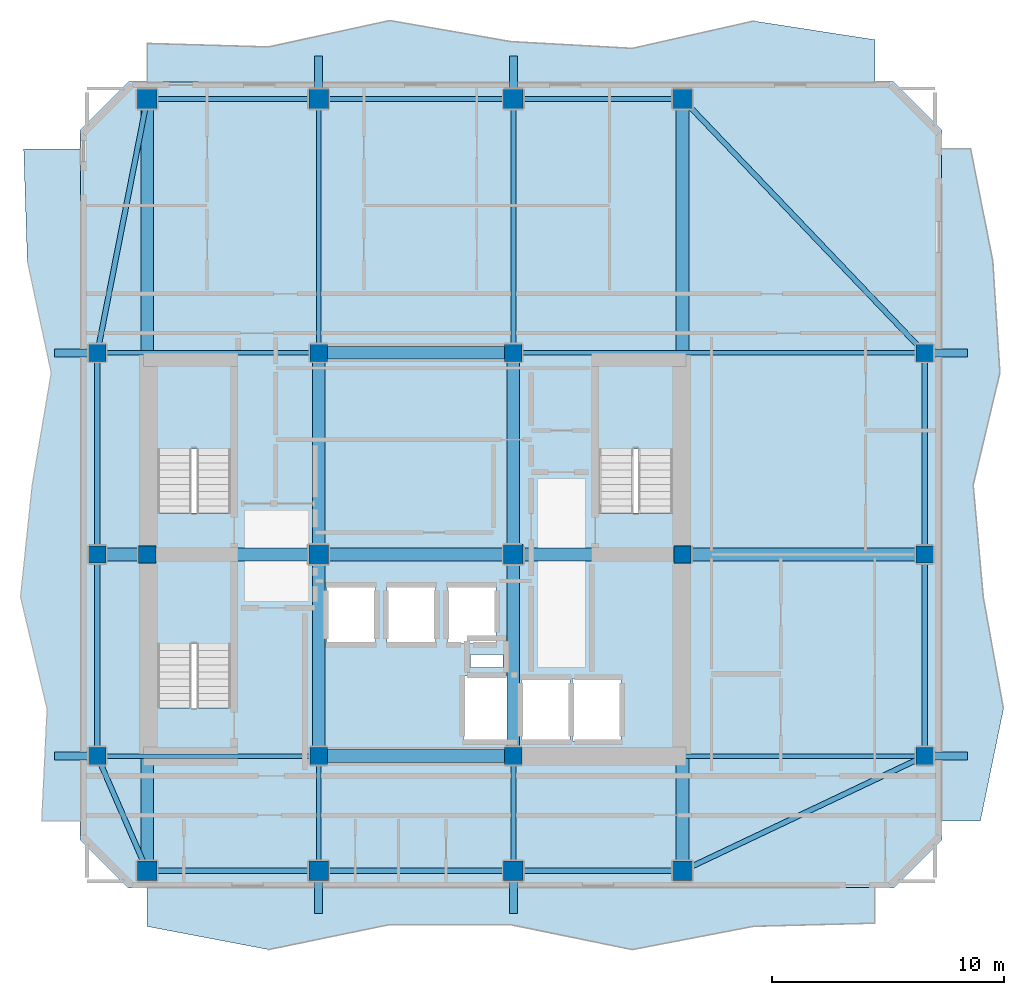
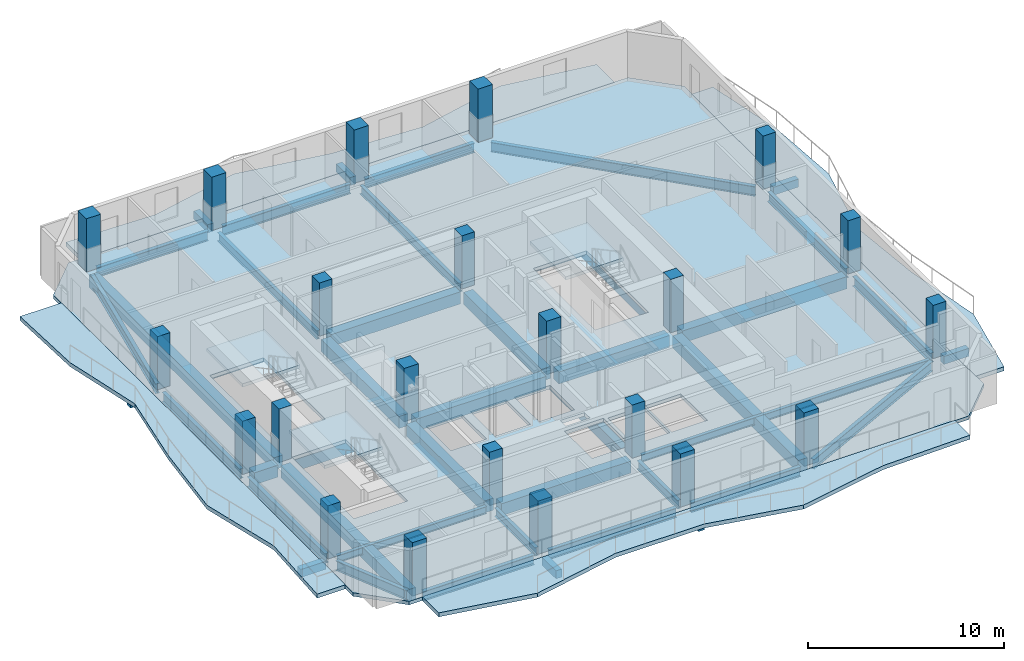
# One storey, part 1 of 9: 45 beams, 22 columns, 8 slabs, 3 elements without a shape of their own.
"""IFC4 building model written with IfcOpenShell, lengths in metres."""

from ifc_helpers import new_model, si_unit, direction, frame, origin, origin_2d, place, context, subcontext, project, spatial, polyline, rectangle, i_section, outline, extrude, material, layer, layer_set, material_profile, profile_set, type_object, element, aggregate, save


model = new_model("IFC4")

# Units and contexts
model_context = context("Model", 3, precision=1e-05, world=origin(), true_north=direction((0.0, 1.0)))
body_context = subcontext(model_context, "Body", "Model", "MODEL_VIEW")
ifc_project = project(units=[si_unit("LENGTHUNIT", "METRE"), si_unit("AREAUNIT", "SQUARE_METRE"), si_unit("VOLUMEUNIT", "CUBIC_METRE"), si_unit("PLANEANGLEUNIT", "RADIAN"), si_unit("MASSUNIT", "GRAM", prefix="KILO")], contexts=[model_context])

# Site, building, storey
site_placement = place(None, origin())
site = spatial("IfcSite", under=ifc_project, at=site_placement, CompositionType="ELEMENT")
building_placement = place(site_placement, origin())
building = spatial("IfcBuilding", under=site, at=building_placement, Name="Solanera Arch Residences", CompositionType="ELEMENT")
storey_placement = place(building_placement, frame((0.0, 0.0, 234.60009765625)))
storey = spatial("IfcBuildingStorey", under=building, at=storey_placement, Name="L68", CompositionType="ELEMENT", Elevation=234.60009765625)

# Columns
ifc_material_1 = material(Name="Concrete C40/50 (f'c = 45 MPa)", Category="concrete")
ifc_material_profile_1 = material_profile(ifc_material_1, rectangle(XDim=0.75, YDim=0.75, at=origin_2d()))
ifc_profile_set_1 = profile_set([ifc_material_profile_1], Name="Concrete C40/50 (f'c = 45 MPa)")
column_type_1 = type_object("IfcColumnType", Name="Structural Column RC-COL-750X750", PredefinedType="COLUMN", material=ifc_profile_set_1)
for number, where, z_axis, x_axis, name in (
    (1, (20.800048828125, 22.0, 0.0), (0.0, 0.0, 1.0), (1.0, 0.0, 0.0), "COL-L68-CB-SW"),
    (2, (29.199951171875, 22.0, 0.0), (0.0, 0.0, 1.0), (1.0, 0.0, 0.0), "COL-L68-CB-SE"),
    (3, (20.800048828125, 39.39990234375, 0.0), (0.0, 0.0, 1.0), (1.0, 0.0, 0.0), "COL-L68-CB-NW"),
    (4, (29.199951171875, 39.39990234375, 0.0), (0.0, 0.0, 1.0), (1.0, 0.0, 0.0), "COL-L68-CB-NE"),
    (5, (13.39990234375, 30.699951171875, 0.0), (0.0, 0.0, 1.0), (1.0, 0.0, 0.0), "COL-L68-CB-WW"),
    (6, (36.5, 30.699951171875, 0.0), (0.0, 0.0, 1.0), (1.0, 0.0, 0.0), "COL-L68-CB-EE"),
    (7, (11.25, 22.0, 0.0), (0.0, 0.0, 1.0), (1.0, 0.0, 0.0), "COL-L68-TWR-09"),
    (8, (46.949951171875, 22.0, 0.0), (0.0, 0.0, 1.0), (1.0, 0.0, 0.0), "COL-L68-TWR-10"),
    (9, (11.25, 30.699951171875, 0.0), (0.0, 0.0, 1.0), (1.0, 0.0, 0.0), "COL-L68-TWR-11"),
    (10, (46.949951171875, 30.699951171875, 0.0), (0.0, 0.0, 1.0), (1.0, 0.0, 0.0), "COL-L68-TWR-12"),
    (11, (11.25, 39.39990234375, 0.0), (0.0, 0.0, 1.0), (1.0, 0.0, 0.0), "COL-L68-TWR-13"),
    (12, (46.949951171875, 39.39990234375, 0.0), (0.0, 0.0, 1.0), (1.0, 0.0, 0.0), "COL-L68-TWR-14"),
):
    element("IfcColumn", number, at=place(storey_placement, frame(where, z_axis=z_axis, x_axis=x_axis)), inside=storey, type_object=column_type_1, Name=name, PredefinedType="COLUMN", context=body_context, shape_type="SweptSolid", body=[
        extrude(rectangle(XDim=0.75, YDim=0.75, at=origin_2d()), origin(), (0.0, 0.0, 1.0), 3.31982421875),
    ])
ifc_material_2 = material(Name="Concrete C40/50 (f'c = 45 MPa)", Category="concrete")
ifc_material_profile_2 = material_profile(ifc_material_2, rectangle(XDim=0.85009765625, YDim=0.85009765625, at=origin_2d()))
ifc_profile_set_2 = profile_set([ifc_material_profile_2], Name="Concrete C40/50 (f'c = 45 MPa)")
column_type_2 = type_object("IfcColumnType", Name="Structural Column RC-COL-850X850", PredefinedType="COLUMN", material=ifc_profile_set_2)
for number, where, z_axis, x_axis, name in (
    (13, (20.800048828125, 30.699951171875, 0.0), (0.0, 0.0, 1.0), (1.0, 0.0, 0.0), "COL-L68-CORE-W"),
    (14, (29.199951171875, 30.699951171875, 0.0), (0.0, 0.0, 1.0), (1.0, 0.0, 0.0), "COL-L68-CORE-E"),
    (15, (13.39990234375, 17.050048828125, 0.0), (0.0, 0.0, 1.0), (1.0, 0.0, 0.0), "COL-L68-TWR-01"),
    (16, (13.39990234375, 50.35009765625, 0.0), (0.0, 0.0, 1.0), (1.0, 0.0, 0.0), "COL-L68-TWR-02"),
    (17, (20.800048828125, 17.050048828125, 0.0), (0.0, 0.0, 1.0), (1.0, 0.0, 0.0), "COL-L68-TWR-03"),
    (18, (20.800048828125, 50.35009765625, 0.0), (0.0, 0.0, 1.0), (1.0, 0.0, 0.0), "COL-L68-TWR-04"),
    (19, (29.199951171875, 17.050048828125, 0.0), (0.0, 0.0, 1.0), (1.0, 0.0, 0.0), "COL-L68-TWR-05"),
    (20, (29.199951171875, 50.35009765625, 0.0), (0.0, 0.0, 1.0), (1.0, 0.0, 0.0), "COL-L68-TWR-06"),
    (21, (36.5, 17.050048828125, 0.0), (0.0, 0.0, 1.0), (1.0, 0.0, 0.0), "COL-L68-TWR-07"),
    (22, (36.5, 50.35009765625, 0.0), (0.0, 0.0, 1.0), (1.0, 0.0, 0.0), "COL-L68-TWR-08"),
):
    element("IfcColumn", number, at=place(storey_placement, frame(where, z_axis=z_axis, x_axis=x_axis)), inside=storey, type_object=column_type_2, Name=name, PredefinedType="COLUMN", context=body_context, shape_type="SweptSolid", body=[
        extrude(rectangle(XDim=0.85009765625, YDim=0.85009765625, at=origin_2d()), origin(), (0.0, 0.0, 1.0), 3.31982421875),
    ])

# Beams
ifc_material_3 = material(Name="Concrete C40/50 (f'c = 45 MPa)", Category="concrete")
ifc_material_profile_3 = material_profile(ifc_material_3, rectangle(XDim=0.35009765625, YDim=0.5, at=origin_2d()))
ifc_profile_set_3 = profile_set([ifc_material_profile_3], Name="Concrete C40/50 (f'c = 45 MPa)")
beam_type_1 = type_object("IfcBeamType", Name="BM-BALC-RIB", PredefinedType="BEAM", material=ifc_profile_set_3)
for number, where, z_axis, x_axis, name in (
    (23, (20.800048828125, 15.199951171875, -0.5), (0.0, 1.0, 0.0), (-1.0, 0.0, 0.0), "BM-L68-BRIB-S1"),
    (24, (29.199951171875, 15.199951171875, -0.5), (0.0, 1.0, 0.0), (-1.0, 0.0, 0.0), "BM-L68-BRIB-S2"),
    (25, (20.800048828125, 50.77490234375, -0.5), (0.0, 1.0, 0.0), (-1.0, 0.0, 0.0), "BM-L68-BRIB-N1"),
    (26, (29.199951171875, 50.77490234375, -0.5), (0.0, 1.0, 0.0), (-1.0, 0.0, 0.0), "BM-L68-BRIB-N2"),
):
    element("IfcBeam", number, at=place(storey_placement, frame(where, z_axis=z_axis, x_axis=x_axis)), inside=storey, type_object=beam_type_1, Name=name, PredefinedType="BEAM", context=body_context, shape_type="SweptSolid", body=[
        extrude(rectangle(XDim=0.35009765625, YDim=0.5, at=origin_2d()), origin(), (0.0, 0.0, 1.0), 1.425048828125),
    ])
for number, where, z_axis, x_axis, name in (
    (27, (47.324951171875, 22.0, -0.5), (1.0, 0.0, 0.0), (0.0, 1.0, 0.0), "BM-L68-BRIB-E1"),
    (28, (47.324951171875, 39.39990234375, -0.5), (1.0, 0.0, 0.0), (0.0, 1.0, 0.0), "BM-L68-BRIB-E2"),
    (29, (9.39990234375, 22.0, -0.5), (1.0, 0.0, 0.0), (0.0, 1.0, 0.0), "BM-L68-BRIB-W1"),
    (30, (9.39990234375, 39.39990234375, -0.5), (1.0, 0.0, 0.0), (0.0, 1.0, 0.0), "BM-L68-BRIB-W2"),
):
    element("IfcBeam", number, at=place(storey_placement, frame(where, z_axis=z_axis, x_axis=x_axis)), inside=storey, type_object=beam_type_1, Name=name, PredefinedType="BEAM", context=body_context, shape_type="SweptSolid", body=[
        extrude(rectangle(XDim=0.35009765625, YDim=0.5, at=origin_2d()), origin(), (0.0, 0.0, 1.0), 1.47509765625),
    ])
ifc_material_4 = material(Name="Steel S355 (ASTM A992 / A572 Grade 50)", Category="steel")
ifc_material_profile_4 = material_profile(ifc_material_4, i_section(OverallWidth=0.208984375, OverallDepth=0.532958984375, WebThickness=0.01025390625, FlangeThickness=0.015625, at=origin_2d()))
ifc_profile_set_4 = profile_set([ifc_material_profile_4], Name="Steel S355 (ASTM A992 / A572 Grade 50)")
beam_type_2 = type_object("IfcBeamType", Name="Floor Beam W530X92", PredefinedType="BEAM", material=ifc_profile_set_4)
beam_1_placement = place(storey_placement, frame((20.800048828125, 17.47900390625, -0.487060546875), z_axis=(0.0, 1.0, 0.0), x_axis=(-1.0, 0.0, 0.0)))
element("IfcBeam", 31, at=beam_1_placement, inside=storey, type_object=beam_type_2, Name="BM-L68-RAD-S-208", PredefinedType="BEAM", context=body_context, shape_type="SweptSolid", body=[
    extrude(i_section(OverallWidth=0.208984375, OverallDepth=0.532958984375, WebThickness=0.01025390625, FlangeThickness=0.015625, at=origin_2d()), origin(), (0.0, 0.0, 1.0), 4.14208984375),
])
beam_2_placement = place(storey_placement, frame((20.800048828125, 39.779052734375, -0.487060546875), z_axis=(0.0, 1.0, 0.0), x_axis=(-1.0, 0.0, 0.0)))
element("IfcBeam", 32, at=beam_2_placement, inside=storey, type_object=beam_type_2, Name="BM-L68-RAD-N-208", PredefinedType="BEAM", context=body_context, shape_type="SweptSolid", body=[
    extrude(i_section(OverallWidth=0.208984375, OverallDepth=0.532958984375, WebThickness=0.01025390625, FlangeThickness=0.015625, at=origin_2d()), origin(), (0.0, 0.0, 1.0), 10.141845703125),
])
beam_3_placement = place(storey_placement, frame((29.199951171875, 17.47900390625, -0.487060546875), z_axis=(0.0, 1.0, 0.0), x_axis=(-1.0, 0.0, 0.0)))
element("IfcBeam", 33, at=beam_3_placement, inside=storey, type_object=beam_type_2, Name="BM-L68-RAD-S-292", PredefinedType="BEAM", context=body_context, shape_type="SweptSolid", body=[
    extrude(i_section(OverallWidth=0.208984375, OverallDepth=0.532958984375, WebThickness=0.01025390625, FlangeThickness=0.015625, at=origin_2d()), origin(), (0.0, 0.0, 1.0), 4.14208984375),
])
beam_4_placement = place(storey_placement, frame((29.199951171875, 39.779052734375, -0.487060546875), z_axis=(0.0, 1.0, 0.0), x_axis=(-1.0, 0.0, 0.0)))
element("IfcBeam", 34, at=beam_4_placement, inside=storey, type_object=beam_type_2, Name="BM-L68-RAD-N-292", PredefinedType="BEAM", context=body_context, shape_type="SweptSolid", body=[
    extrude(i_section(OverallWidth=0.208984375, OverallDepth=0.532958984375, WebThickness=0.01025390625, FlangeThickness=0.015625, at=origin_2d()), origin(), (0.0, 0.0, 1.0), 10.141845703125),
])
ifc_material_5 = material(Name="Concrete C40/50 (f'c = 45 MPa)", Category="concrete")
ifc_material_profile_5 = material_profile(ifc_material_5, rectangle(XDim=0.550048828125, YDim=0.75, at=origin_2d()))
ifc_profile_set_5 = profile_set([ifc_material_profile_5], Name="Concrete C40/50 (f'c = 45 MPa)")
beam_type_3 = type_object("IfcBeamType", Name="Primary Beam RC-BM-550X750", PredefinedType="BEAM", material=ifc_profile_set_5)
beam_5_placement = place(storey_placement, frame((20.800048828125, 22.37890625, -0.59521484375), z_axis=(0.0, 1.0, 0.0), x_axis=(-1.0, 0.0, 0.0)))
element("IfcBeam", 35, at=beam_5_placement, inside=storey, type_object=beam_type_3, Name="BM-L68-CC-S-208", PredefinedType="BEAM", context=body_context, shape_type="SweptSolid", body=[
    extrude(rectangle(XDim=0.550048828125, YDim=0.75, at=origin_2d()), origin(), (0.0, 0.0, 1.0), 7.942138671875),
])
beam_6_placement = place(storey_placement, frame((20.800048828125, 31.0791015625, -0.59521484375), z_axis=(0.0, 1.0, 0.0), x_axis=(-1.0, 0.0, 0.0)))
element("IfcBeam", 36, at=beam_6_placement, inside=storey, type_object=beam_type_3, Name="BM-L68-CC-N-208", PredefinedType="BEAM", context=body_context, shape_type="SweptSolid", body=[
    extrude(rectangle(XDim=0.550048828125, YDim=0.75, at=origin_2d()), origin(), (0.0, 0.0, 1.0), 7.94189453125),
])
beam_7_placement = place(storey_placement, frame((29.199951171875, 22.37890625, -0.59521484375), z_axis=(0.0, 1.0, 0.0), x_axis=(-1.0, 0.0, 0.0)))
element("IfcBeam", 37, at=beam_7_placement, inside=storey, type_object=beam_type_3, Name="BM-L68-CC-S-292", PredefinedType="BEAM", context=body_context, shape_type="SweptSolid", body=[
    extrude(rectangle(XDim=0.550048828125, YDim=0.75, at=origin_2d()), origin(), (0.0, 0.0, 1.0), 7.942138671875),
])
beam_8_placement = place(storey_placement, frame((29.199951171875, 31.0791015625, -0.59521484375), z_axis=(0.0, 1.0, 0.0), x_axis=(-1.0, 0.0, 0.0)))
element("IfcBeam", 38, at=beam_8_placement, inside=storey, type_object=beam_type_3, Name="BM-L68-CC-N-292", PredefinedType="BEAM", context=body_context, shape_type="SweptSolid", body=[
    extrude(rectangle(XDim=0.550048828125, YDim=0.75, at=origin_2d()), origin(), (0.0, 0.0, 1.0), 7.94189453125),
])
for number, where, z_axis, x_axis, name in (
    (39, (21.178955078125, 22.0, -0.59521484375), (1.0, 0.0, 0.0), (0.0, 1.0, 0.0), "BM-L68-CC-M-220"),
    (40, (21.178955078125, 30.699951171875, -0.59521484375), (1.0, 0.0, 0.0), (0.0, 1.0, 0.0), "BM-L68-CC-M-307"),
    (41, (21.178955078125, 39.39990234375, -0.59521484375), (1.0, 0.0, 0.0), (0.0, 1.0, 0.0), "BM-L68-CC-M-394"),
):
    element("IfcBeam", number, at=place(storey_placement, frame(where, z_axis=z_axis, x_axis=x_axis)), inside=storey, type_object=beam_type_3, Name=name, PredefinedType="BEAM", context=body_context, shape_type="SweptSolid", body=[
        extrude(rectangle(XDim=0.550048828125, YDim=0.75, at=origin_2d()), origin(), (0.0, 0.0, 1.0), 7.64208984375),
    ])
beam_9_placement = place(storey_placement, frame((13.779052734375, 30.699951171875, -0.59521484375), z_axis=(1.0, 0.0, 0.0), x_axis=(0.0, 1.0, 0.0)))
element("IfcBeam", 42, at=beam_9_placement, inside=storey, type_object=beam_type_3, Name="BM-L68-CC-W", PredefinedType="BEAM", context=body_context, shape_type="SweptSolid", body=[
    extrude(rectangle(XDim=0.550048828125, YDim=0.75, at=origin_2d()), origin(), (0.0, 0.0, 1.0), 6.641845703125),
])
beam_10_placement = place(storey_placement, frame((29.5791015625, 30.699951171875, -0.59521484375), z_axis=(1.0, 0.0, 0.0), x_axis=(0.0, 1.0, 0.0)))
element("IfcBeam", 43, at=beam_10_placement, inside=storey, type_object=beam_type_3, Name="BM-L68-CC-E", PredefinedType="BEAM", context=body_context, shape_type="SweptSolid", body=[
    extrude(rectangle(XDim=0.550048828125, YDim=0.75, at=origin_2d()), origin(), (0.0, 0.0, 1.0), 6.5419921875),
])
beam_11_placement = place(storey_placement, frame((13.39990234375, 17.47900390625, -0.59521484375), z_axis=(0.0, 1.0, 0.0), x_axis=(-1.0, 0.0, 0.0)))
element("IfcBeam", 44, at=beam_11_placement, inside=storey, type_object=beam_type_3, Name="BM-L68-RAD-OS-134", PredefinedType="BEAM", context=body_context, shape_type="SweptSolid", body=[
    extrude(rectangle(XDim=0.550048828125, YDim=0.75, at=origin_2d()), origin(), (0.0, 0.0, 1.0), 12.842041015625),
])
beam_12_placement = place(storey_placement, frame((13.39990234375, 31.0791015625, -0.59521484375), z_axis=(0.0, 1.0, 0.0), x_axis=(-1.0, 0.0, 0.0)))
element("IfcBeam", 45, at=beam_12_placement, inside=storey, type_object=beam_type_3, Name="BM-L68-RAD-ON-134", PredefinedType="BEAM", context=body_context, shape_type="SweptSolid", body=[
    extrude(rectangle(XDim=0.550048828125, YDim=0.75, at=origin_2d()), origin(), (0.0, 0.0, 1.0), 18.841796875),
])
beam_13_placement = place(storey_placement, frame((36.5, 17.47900390625, -0.59521484375), z_axis=(0.0, 1.0, 0.0), x_axis=(-1.0, 0.0, 0.0)))
element("IfcBeam", 46, at=beam_13_placement, inside=storey, type_object=beam_type_3, Name="BM-L68-RAD-OS-365", PredefinedType="BEAM", context=body_context, shape_type="SweptSolid", body=[
    extrude(rectangle(XDim=0.550048828125, YDim=0.75, at=origin_2d()), origin(), (0.0, 0.0, 1.0), 12.842041015625),
])
beam_14_placement = place(storey_placement, frame((36.5, 31.0791015625, -0.59521484375), z_axis=(0.0, 1.0, 0.0), x_axis=(-1.0, 0.0, 0.0)))
element("IfcBeam", 47, at=beam_14_placement, inside=storey, type_object=beam_type_3, Name="BM-L68-RAD-ON-365", PredefinedType="BEAM", context=body_context, shape_type="SweptSolid", body=[
    extrude(rectangle(XDim=0.550048828125, YDim=0.75, at=origin_2d()), origin(), (0.0, 0.0, 1.0), 18.841796875),
])
beam_15_placement = place(storey_placement, frame((11.62890625, 30.699951171875, -0.59521484375), z_axis=(1.0, 0.0, 0.0), x_axis=(0.0, 1.0, 0.0)))
element("IfcBeam", 48, at=beam_15_placement, inside=storey, type_object=beam_type_3, Name="BM-L68-RAD-MW", PredefinedType="BEAM", context=body_context, shape_type="SweptSolid", body=[
    extrude(rectangle(XDim=0.550048828125, YDim=0.75, at=origin_2d()), origin(), (0.0, 0.0, 1.0), 1.39208984375),
])
beam_16_placement = place(storey_placement, frame((36.87890625, 30.699951171875, -0.59521484375), z_axis=(1.0, 0.0, 0.0), x_axis=(0.0, 1.0, 0.0)))
element("IfcBeam", 49, at=beam_16_placement, inside=storey, type_object=beam_type_3, Name="BM-L68-RAD-ME", PredefinedType="BEAM", context=body_context, shape_type="SweptSolid", body=[
    extrude(rectangle(XDim=0.550048828125, YDim=0.75, at=origin_2d()), origin(), (0.0, 0.0, 1.0), 9.692138671875),
])
ifc_material_6 = material(Name="Steel S355 (ASTM A992 / A572 Grade 50)", Category="steel")
ifc_material_profile_6 = material_profile(ifc_material_6, i_section(OverallWidth=0.19091796875, OverallDepth=0.4599609375, WebThickness=0.010009765625, FlangeThickness=0.01611328125, at=origin_2d()))
ifc_profile_set_6 = profile_set([ifc_material_profile_6], Name="Steel S355 (ASTM A992 / A572 Grade 50)")
beam_type_4 = type_object("IfcBeamType", Name="Secondary Joist W460X82", PredefinedType="JOIST", material=ifc_profile_set_6)
beam_17_placement = place(storey_placement, frame((11.62890625, 22.0, -0.4501953125), z_axis=(1.0, 0.0, 0.0), x_axis=(0.0, 1.0, 0.0)))
element("IfcBeam", 50, at=beam_17_placement, inside=storey, type_object=beam_type_4, Name="BM-L68-RAD-W-220", PredefinedType="JOIST", context=body_context, shape_type="SweptSolid", body=[
    extrude(i_section(OverallWidth=0.19091796875, OverallDepth=0.4599609375, WebThickness=0.010009765625, FlangeThickness=0.01611328125, at=origin_2d()), origin(), (0.0, 0.0, 1.0), 8.7919921875),
])
beam_18_placement = place(storey_placement, frame((29.5791015625, 22.0, -0.4501953125), z_axis=(1.0, 0.0, 0.0), x_axis=(0.0, 1.0, 0.0)))
element("IfcBeam", 51, at=beam_18_placement, inside=storey, type_object=beam_type_4, Name="BM-L68-RAD-E-220", PredefinedType="JOIST", context=body_context, shape_type="SweptSolid", body=[
    extrude(i_section(OverallWidth=0.19091796875, OverallDepth=0.4599609375, WebThickness=0.010009765625, FlangeThickness=0.01611328125, at=origin_2d()), origin(), (0.0, 0.0, 1.0), 16.991943359375),
])
beam_19_placement = place(storey_placement, frame((11.62890625, 39.39990234375, -0.4501953125), z_axis=(1.0, 0.0, 0.0), x_axis=(0.0, 1.0, 0.0)))
element("IfcBeam", 52, at=beam_19_placement, inside=storey, type_object=beam_type_4, Name="BM-L68-RAD-W-394", PredefinedType="JOIST", context=body_context, shape_type="SweptSolid", body=[
    extrude(i_section(OverallWidth=0.19091796875, OverallDepth=0.4599609375, WebThickness=0.010009765625, FlangeThickness=0.01611328125, at=origin_2d()), origin(), (0.0, 0.0, 1.0), 8.7919921875),
])
beam_20_placement = place(storey_placement, frame((29.5791015625, 39.39990234375, -0.4501953125), z_axis=(1.0, 0.0, 0.0), x_axis=(0.0, 1.0, 0.0)))
element("IfcBeam", 53, at=beam_20_placement, inside=storey, type_object=beam_type_4, Name="BM-L68-RAD-E-394", PredefinedType="JOIST", context=body_context, shape_type="SweptSolid", body=[
    extrude(i_section(OverallWidth=0.19091796875, OverallDepth=0.4599609375, WebThickness=0.010009765625, FlangeThickness=0.01611328125, at=origin_2d()), origin(), (0.0, 0.0, 1.0), 16.991943359375),
])
ifc_material_7 = material(Name="Steel S355 (ASTM A992 / A572 Grade 50)", Category="steel")
ifc_material_profile_7 = material_profile(ifc_material_7, i_section(OverallWidth=0.22802734375, OverallDepth=0.60791015625, WebThickness=0.01123046875, FlangeThickness=0.017333984375, at=origin_2d()))
ifc_profile_set_7 = profile_set([ifc_material_profile_7], Name="Steel S355 (ASTM A992 / A572 Grade 50)")
beam_type_5 = type_object("IfcBeamType", Name="Spandrel Beam W610X113", PredefinedType="SPANDREL", material=ifc_profile_set_7)
for number, where, z_axis, x_axis, name in (
    (54, (13.8291015625, 17.050048828125, -0.524169921875), (1.0, 0.0, 0.0), (0.0, 1.0, 0.0), "BM-L68-SPN-S-1"),
    (55, (13.8291015625, 50.35009765625, -0.524169921875), (1.0, 0.0, 0.0), (0.0, 1.0, 0.0), "BM-L68-SPN-N-1"),
):
    element("IfcBeam", number, at=place(storey_placement, frame(where, z_axis=z_axis, x_axis=x_axis)), inside=storey, type_object=beam_type_5, Name=name, PredefinedType="SPANDREL", context=body_context, shape_type="SweptSolid", body=[
        extrude(i_section(OverallWidth=0.22802734375, OverallDepth=0.60791015625, WebThickness=0.01123046875, FlangeThickness=0.017333984375, at=origin_2d()), origin(), (0.0, 0.0, 1.0), 6.5419921875),
    ])
for number, where, z_axis, x_axis, name in (
    (56, (21.22900390625, 17.050048828125, -0.524169921875), (1.0, 0.0, 0.0), (0.0, 1.0, 0.0), "BM-L68-SPN-S-2"),
    (57, (21.22900390625, 50.35009765625, -0.524169921875), (1.0, 0.0, 0.0), (0.0, 1.0, 0.0), "BM-L68-SPN-N-2"),
):
    element("IfcBeam", number, at=place(storey_placement, frame(where, z_axis=z_axis, x_axis=x_axis)), inside=storey, type_object=beam_type_5, Name=name, PredefinedType="SPANDREL", context=body_context, shape_type="SweptSolid", body=[
        extrude(i_section(OverallWidth=0.22802734375, OverallDepth=0.60791015625, WebThickness=0.01123046875, FlangeThickness=0.017333984375, at=origin_2d()), origin(), (0.0, 0.0, 1.0), 7.5419921875),
    ])
for number, where, z_axis, x_axis, name in (
    (58, (29.62890625, 17.050048828125, -0.524169921875), (1.0, 0.0, 0.0), (0.0, 1.0, 0.0), "BM-L68-SPN-S-3"),
    (59, (29.62890625, 50.35009765625, -0.524169921875), (1.0, 0.0, 0.0), (0.0, 1.0, 0.0), "BM-L68-SPN-N-3"),
):
    element("IfcBeam", number, at=place(storey_placement, frame(where, z_axis=z_axis, x_axis=x_axis)), inside=storey, type_object=beam_type_5, Name=name, PredefinedType="SPANDREL", context=body_context, shape_type="SweptSolid", body=[
        extrude(i_section(OverallWidth=0.22802734375, OverallDepth=0.60791015625, WebThickness=0.01123046875, FlangeThickness=0.017333984375, at=origin_2d()), origin(), (0.0, 0.0, 1.0), 6.442138671875),
    ])
for number, where, z_axis, x_axis, name in (
    (60, (11.25, 22.37890625, -0.524169921875), (0.0, 1.0, 0.0), (-1.0, 0.0, 0.0), "BM-L68-SPN-W-1"),
    (61, (46.949951171875, 22.37890625, -0.524169921875), (0.0, 1.0, 0.0), (-1.0, 0.0, 0.0), "BM-L68-SPN-E-1"),
):
    element("IfcBeam", number, at=place(storey_placement, frame(where, z_axis=z_axis, x_axis=x_axis)), inside=storey, type_object=beam_type_5, Name=name, PredefinedType="SPANDREL", context=body_context, shape_type="SweptSolid", body=[
        extrude(i_section(OverallWidth=0.22802734375, OverallDepth=0.60791015625, WebThickness=0.01123046875, FlangeThickness=0.017333984375, at=origin_2d()), origin(), (0.0, 0.0, 1.0), 7.942138671875),
    ])
for number, where, z_axis, x_axis, name in (
    (62, (11.25, 31.0791015625, -0.524169921875), (0.0, 1.0, 0.0), (-1.0, 0.0, 0.0), "BM-L68-SPN-W-2"),
    (63, (46.949951171875, 31.0791015625, -0.524169921875), (0.0, 1.0, 0.0), (-1.0, 0.0, 0.0), "BM-L68-SPN-E-2"),
):
    element("IfcBeam", number, at=place(storey_placement, frame(where, z_axis=z_axis, x_axis=x_axis)), inside=storey, type_object=beam_type_5, Name=name, PredefinedType="SPANDREL", context=body_context, shape_type="SweptSolid", body=[
        extrude(i_section(OverallWidth=0.22802734375, OverallDepth=0.60791015625, WebThickness=0.01123046875, FlangeThickness=0.017333984375, at=origin_2d()), origin(), (0.0, 0.0, 1.0), 7.94189453125),
    ])
beam_21_placement = place(storey_placement, frame((13.214111328125, 17.47900390625, -0.524169921875), z_axis=(-0.398565995426, 0.917139655282, 0.0), x_axis=(-0.917139655282, -0.398565995426, 0.0)))
element("IfcBeam", 64, at=beam_21_placement, inside=storey, type_object=beam_type_5, Name="BM-L68-SPN-SW", PredefinedType="SPANDREL", context=body_context, shape_type="SweptSolid", body=[
    extrude(i_section(OverallWidth=0.22802734375, OverallDepth=0.60791015625, WebThickness=0.01123046875, FlangeThickness=0.017333984375, at=origin_2d()), origin(), (0.0, 0.0, 1.0), 4.516357421875),
])
beam_22_placement = place(storey_placement, frame((13.31591796875, 49.9208984375, -0.524169921875), z_axis=(-0.192726215486, -0.981252569864, 0.0), x_axis=(0.981252569864, -0.192726215486, 0.0)))
element("IfcBeam", 65, at=beam_22_placement, inside=storey, type_object=beam_type_5, Name="BM-L68-SPN-NW", PredefinedType="SPANDREL", context=body_context, shape_type="SweptSolid", body=[
    extrude(i_section(OverallWidth=0.22802734375, OverallDepth=0.60791015625, WebThickness=0.01123046875, FlangeThickness=0.017333984375, at=origin_2d()), origin(), (0.0, 0.0, 1.0), 10.335693359375),
])
beam_23_placement = place(storey_placement, frame((36.928955078125, 17.2529296875, -0.524169921875), z_axis=(0.903708483395, 0.428148311967, 0.0), x_axis=(-0.428148311967, 0.903708483395, 0.0)))
element("IfcBeam", 66, at=beam_23_placement, inside=storey, type_object=beam_type_5, Name="BM-L68-SPN-SE", PredefinedType="SPANDREL", context=body_context, shape_type="SweptSolid", body=[
    extrude(i_section(OverallWidth=0.22802734375, OverallDepth=0.60791015625, WebThickness=0.01123046875, FlangeThickness=0.017333984375, at=origin_2d()), origin(), (0.0, 0.0, 1.0), 10.66943359375),
])
beam_24_placement = place(storey_placement, frame((36.873046875, 49.958984375, -0.524169921875), z_axis=(0.690398586327, -0.723429189346, 0.0), x_axis=(0.723429189346, 0.690398586327, 0.0)))
element("IfcBeam", 67, at=beam_24_placement, inside=storey, type_object=beam_type_5, Name="BM-L68-SPN-NE", PredefinedType="SPANDREL", context=body_context, shape_type="SweptSolid", body=[
    extrude(i_section(OverallWidth=0.22802734375, OverallDepth=0.60791015625, WebThickness=0.01123046875, FlangeThickness=0.017333984375, at=origin_2d()), origin(), (0.0, 0.0, 1.0), 14.0732421875),
])

# Slabs
ifc_material_8 = material(Name="Concrete C40/50 (f'c = 45 MPa)", Category="concrete")
ifc_layer_1 = layer(ifc_material_8, 0.25)
ifc_layer_set_1 = layer_set([ifc_layer_1], Name="Concrete C40/50 (f'c = 45 MPa)")
slab_type_1 = type_object("IfcSlabType", Name="Balcony Slab 250", PredefinedType="FLOOR", material=ifc_layer_set_1)
slab_1_placement = place(storey_placement, frame((0.0, 0.0, -0.25)))
element("IfcSlab", 68, at=slab_1_placement, inside=storey, type_object=slab_type_1, Name="L68 S Rippling Brise-Soleil Balcony Slab", PredefinedType="FLOOR", context=body_context, shape_type="SweptSolid", body=[
    extrude(outline(polyline([(13.39990234375, 14.64892578125), (18.633056640625, 13.652099609375), (23.866943359375, 14.73095703125), (29.10009765625, 14.722900390625), (34.3330078125, 13.65087890625), (39.56689453125, 14.656982421875), (44.800048828125, 14.7919921875), (44.800048828125, 16.320068359375), (13.39990234375, 16.320068359375), (13.39990234375, 14.64892578125)])), origin(), (0.0, 0.0, 1.0), 0.25),
])
slab_2_placement = place(storey_placement, frame((0.0, 0.0, -0.25)))
element("IfcSlab", 69, at=slab_2_placement, inside=storey, type_object=slab_type_1, Name="L68 N Rippling Brise-Soleil Balcony Slab", PredefinedType="FLOOR", context=body_context, shape_type="SweptSolid", body=[
    extrude(outline(polyline([(44.800048828125, 52.910888671875), (39.56689453125, 53.718017578125), (34.3330078125, 52.5380859375), (29.10009765625, 52.8291015625), (23.866943359375, 53.738037109375), (18.633056640625, 52.60009765625), (13.39990234375, 52.7509765625), (13.39990234375, 51.080078125), (44.800048828125, 51.080078125), (44.800048828125, 52.910888671875)])), origin(), (0.0, 0.0, 1.0), 0.25),
])
slab_3_placement = place(storey_placement, frame((0.0, 0.0, -0.25)))
element("IfcSlab", 70, at=slab_3_placement, inside=storey, type_object=slab_type_1, Name="L68 E Rippling Brise-Soleil Balcony Slab", PredefinedType="FLOOR", context=body_context, shape_type="SweptSolid", body=[
    extrude(outline(polyline([(49.35107421875, 19.199951171875), (50.346923828125, 24.032958984375), (49.47412109375, 28.866943359375), (49.0400390625, 33.699951171875), (50.19189453125, 38.532958984375), (49.885986328125, 43.366943359375), (48.929931640625, 48.199951171875), (47.679931640625, 48.199951171875), (47.679931640625, 19.199951171875), (49.35107421875, 19.199951171875)])), origin(), (0.0, 0.0, 1.0), 0.25),
])
slab_4_placement = place(storey_placement, frame((0.0, 0.0, -0.25)))
element("IfcSlab", 71, at=slab_4_placement, inside=storey, type_object=slab_type_1, Name="L68 W Rippling Brise-Soleil Balcony Slab", PredefinedType="FLOOR", context=body_context, shape_type="SweptSolid", body=[
    extrude(outline(polyline([(8.071044921875, 48.199951171875), (8.22900390625, 43.366943359375), (9.260986328125, 38.532958984375), (8.43994140625, 33.699951171875), (7.93603515625, 28.866943359375), (9.0810546875, 24.032958984375), (8.84912109375, 19.199951171875), (10.52001953125, 19.199951171875), (10.52001953125, 48.199951171875), (8.071044921875, 48.199951171875)])), origin(), (0.0, 0.0, 1.0), 0.25),
])

# Stair, slab
ifc_material_9 = material(Name="Concrete C40/50 (f'c = 45 MPa)", Category="concrete")
stair_type = type_object("IfcStairType", Name="Tower Dogleg Exit Stair 1480", PredefinedType="HALF_TURN_STAIR", material=ifc_material_9)
stair_1_placement = place(storey_placement, origin())
stair_1 = element("IfcStair", 72, at=stair_1_placement, inside=storey, type_object=stair_type, Name="L68 Tower Core Exit Stair 1", PredefinedType="HALF_TURN_STAIR")
ifc_material_10 = material(Name="Concrete C40/50 (f'c = 45 MPa)", Category="concrete")
ifc_layer_2 = layer(ifc_material_10, 0.199951171875)
ifc_layer_set_2 = layer_set([ifc_layer_2], Name="Concrete C40/50 (f'c = 45 MPa)")
slab_type_2 = type_object("IfcSlabType", Name="Stair Half-Landing Slab 200", PredefinedType="LANDING", material=ifc_layer_set_2)
slab_5_placement = place(storey_placement, frame((0.0, 0.0, 1.4599609375)))
slab_5 = element("IfcSlab", 73, at=slab_5_placement, type_object=slab_type_2, Name="ST-T1 landing 1", PredefinedType="LANDING", context=body_context, shape_type="SweptSolid", body=[
    extrude(outline(polyline([(17.1201171875, 35.260009765625), (17.1201171875, 38.919921875), (13.719970703125, 38.919921875), (13.719970703125, 35.260009765625), (17.1201171875, 35.260009765625)])), origin(), (0.0, 0.0, 1.0), 0.199951171875),
])
aggregate(stair_1, [slab_5])

stair_2_placement = place(storey_placement, origin())
stair_2 = element("IfcStair", 74, at=stair_2_placement, inside=storey, type_object=stair_type, Name="L68 Tower Core Exit Stair 2", PredefinedType="HALF_TURN_STAIR")
slab_6_placement = place(storey_placement, frame((0.0, 0.0, 1.4599609375)))
slab_6 = element("IfcSlab", 75, at=slab_6_placement, type_object=slab_type_2, Name="ST-T2 landing 1", PredefinedType="LANDING", context=body_context, shape_type="SweptSolid", body=[
    extrude(outline(polyline([(36.179931640625, 35.260009765625), (36.179931640625, 38.919921875), (32.780029296875, 38.919921875), (32.780029296875, 35.260009765625), (36.179931640625, 35.260009765625)])), origin(), (0.0, 0.0, 1.0), 0.199951171875),
])
aggregate(stair_2, [slab_6])

stair_3_placement = place(storey_placement, origin())
stair_3 = element("IfcStair", 76, at=stair_3_placement, inside=storey, type_object=stair_type, Name="L68 Tower Core Exit Stair 3", PredefinedType="HALF_TURN_STAIR")
slab_7_placement = place(storey_placement, frame((0.0, 0.0, 1.4599609375)))
slab_7 = element("IfcSlab", 77, at=slab_7_placement, type_object=slab_type_2, Name="ST-T3 landing 1", PredefinedType="LANDING", context=body_context, shape_type="SweptSolid", body=[
    extrude(outline(polyline([(17.1201171875, 26.860107421875), (17.1201171875, 30.52001953125), (13.719970703125, 30.52001953125), (13.719970703125, 26.860107421875), (17.1201171875, 26.860107421875)])), origin(), (0.0, 0.0, 1.0), 0.199951171875),
])
aggregate(stair_3, [slab_7])

# Slab
ifc_material_11 = material(Name="Concrete C40/50 (f'c = 45 MPa)", Category="concrete")
ifc_layer_3 = layer(ifc_material_11, 0.219970703125)
ifc_layer_set_3 = layer_set([ifc_layer_3], Name="Concrete C40/50 (f'c = 45 MPa)")
slab_type_3 = type_object("IfcSlabType", Name="Suspended Floor Slab Post-Tensioned 220", PredefinedType="FLOOR", material=ifc_layer_set_3)
slab_8_placement = place(storey_placement, frame((0.0, 0.0, -0.22021484375)))
element("IfcSlab", 78, at=slab_8_placement, inside=storey, type_object=slab_type_3, Name="L68 Tower Post-Tensioned Floor Slab", PredefinedType="FLOOR", context=body_context, shape_type="SweptSolid", body=[
    extrude(outline(polyline([(12.60009765625, 16.300048828125), (45.60009765625, 16.300048828125), (47.699951171875, 18.39990234375), (47.699951171875, 49.0), (45.60009765625, 51.10009765625), (12.60009765625, 51.10009765625), (10.5, 49.0), (10.5, 18.39990234375), (12.60009765625, 16.300048828125)]), holes=[polyline([(13.840087890625, 32.48291015625), (13.840087890625, 38.800048828125), (17.0, 38.800048828125), (17.0, 32.48291015625), (13.840087890625, 32.48291015625)]), polyline([(32.89990234375, 32.48291015625), (32.89990234375, 38.800048828125), (36.06005859375, 38.800048828125), (36.06005859375, 32.48291015625), (32.89990234375, 32.48291015625)]), polyline([(13.840087890625, 24.0830078125), (13.840087890625, 30.39990234375), (17.0, 30.39990234375), (17.0, 24.0830078125), (13.840087890625, 24.0830078125)]), polyline([(21.14990234375, 29.35009765625), (23.25, 29.35009765625), (23.25, 26.85009765625), (21.14990234375, 26.85009765625), (21.14990234375, 29.35009765625)]), polyline([(23.75, 29.35009765625), (25.85009765625, 29.35009765625), (25.85009765625, 26.85009765625), (23.75, 26.85009765625), (23.75, 29.35009765625)]), polyline([(26.35009765625, 29.35009765625), (28.449951171875, 29.35009765625), (28.449951171875, 26.85009765625), (26.35009765625, 26.85009765625), (26.35009765625, 29.35009765625)]), polyline([(29.550048828125, 25.35009765625), (31.64990234375, 25.35009765625), (31.64990234375, 22.64990234375), (29.550048828125, 22.64990234375), (29.550048828125, 25.35009765625)]), polyline([(31.75, 25.35009765625), (33.85009765625, 25.35009765625), (33.85009765625, 22.64990234375), (31.75, 22.64990234375), (31.75, 25.35009765625)]), polyline([(27.050048828125, 25.449951171875), (29.35009765625, 25.449951171875), (29.35009765625, 22.64990234375), (27.050048828125, 22.64990234375), (27.050048828125, 25.449951171875)]), polyline([(27.340087890625, 26.3798828125), (28.760009765625, 26.3798828125), (28.760009765625, 25.820068359375), (27.340087890625, 25.820068359375), (27.340087890625, 26.3798828125)])]), origin(), (0.0, 0.0, 1.0), 0.22021484375),
])

save(model, "model.ifc")
